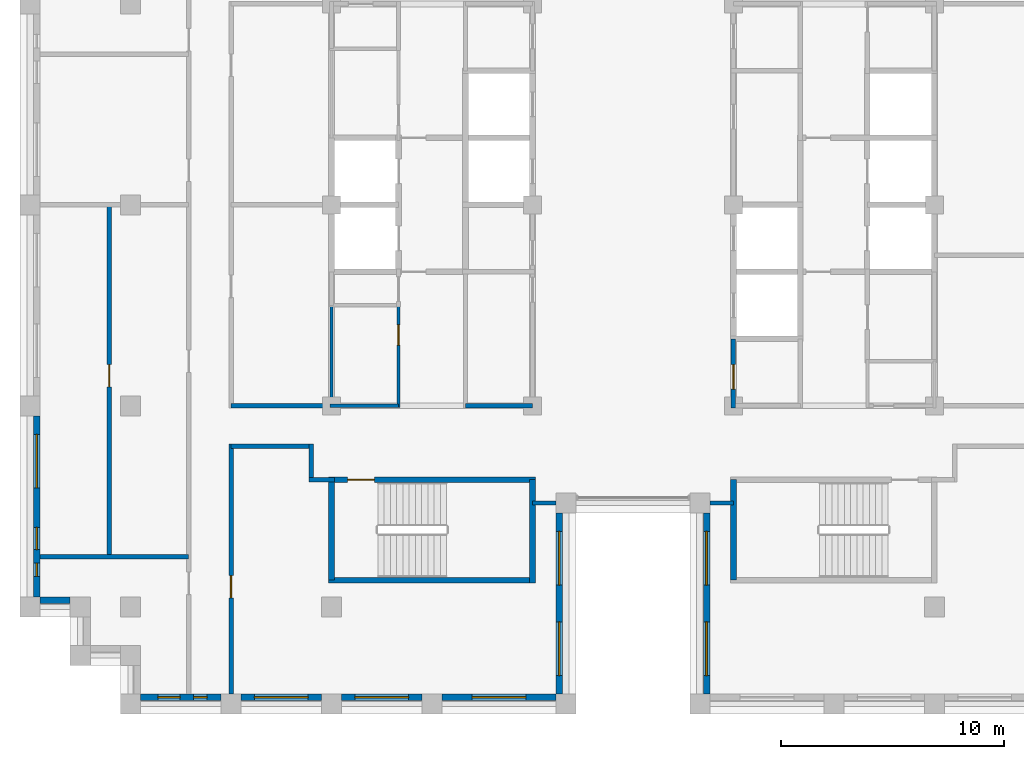
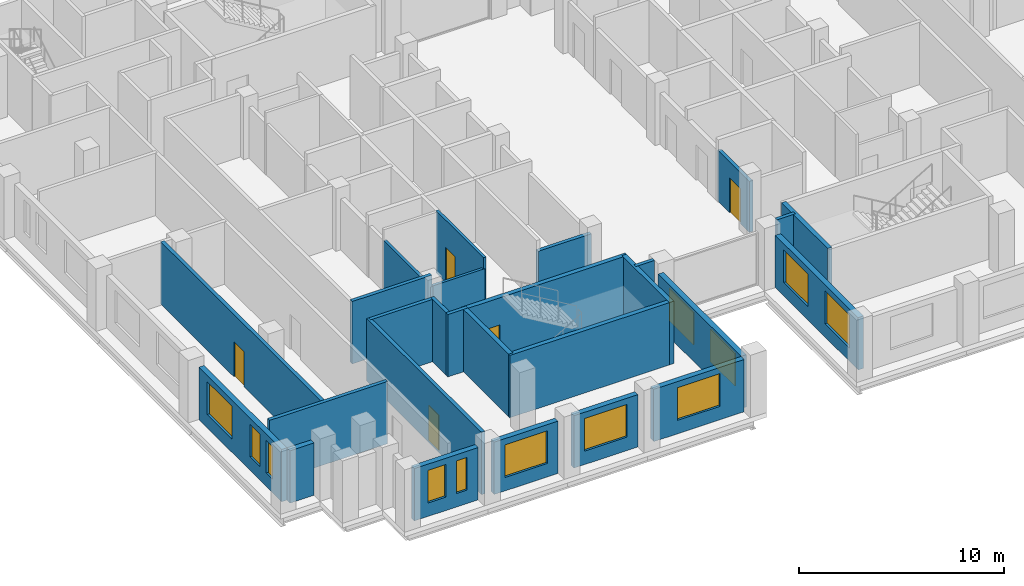
# One storey, part 6 of 13: 27 walls, 12 windows, 5 doors, 17 openings.
"""IFC4 building model written with IfcOpenShell, lengths in metres."""

from ifc_helpers import new_model, si_unit, direction, frame, frame_2d, origin, place, context, subcontext, project, spatial, rectangle, extrude, material, layer, layer_set, type_object, element, fill, save


model = new_model("IFC4")

# Units and contexts
model_context = context("Model", 3, precision=1e-05, world=origin(), true_north=direction((0.0, 1.0)))
body_context = subcontext(model_context, "Body", "Model", "MODEL_VIEW")
ifc_project = project(units=[si_unit("LENGTHUNIT", "METRE"), si_unit("AREAUNIT", "SQUARE_METRE"), si_unit("VOLUMEUNIT", "CUBIC_METRE"), si_unit("PLANEANGLEUNIT", "RADIAN"), si_unit("MASSUNIT", "GRAM", prefix="KILO")], contexts=[model_context])

# Site, building, storey
site_placement = place(None, origin())
site = spatial("IfcSite", under=ifc_project, at=site_placement, CompositionType="ELEMENT")
building_placement = place(site_placement, origin())
building = spatial("IfcBuilding", under=site, at=building_placement, Name="Corbelhall Arena Tower", CompositionType="ELEMENT")
storey_placement = place(building_placement, frame((0.0, 0.0, 266.0)))
storey = spatial("IfcBuildingStorey", under=building, at=storey_placement, Name="L57", CompositionType="ELEMENT", Elevation=266.0)

# Wall, openings, windows
ifc_material_1 = material(Name="Precast concrete C40/50 with granite facing", Category="masonry")
ifc_layer_1 = layer(ifc_material_1, 0.300048828125)
ifc_layer_set_1 = layer_set([ifc_layer_1], Name="EV-IW1 Infill panel 300")
wall_type_1 = type_object("IfcWallType", Name="EV-IW1 Infill panel 300", PredefinedType="SOLIDWALL", material=ifc_layer_set_1)
wall_1_placement = place(storey_placement, frame((-26.699951171875, -9.449951171875, 0.0), z_axis=(0.0, 0.0, 1.0), x_axis=(0.0, -1.0, 0.0)))
wall_1 = element("IfcWall", 1, at=wall_1_placement, inside=storey, type_object=wall_type_1, Name="Infill panel IW1", PredefinedType="SOLIDWALL", context=body_context, shape_type="SweptSolid", body=[
    extrude(rectangle(XDim=8.10009765625, YDim=0.300048828125, at=frame_2d((4.050048828125, 0.0))), origin(), (0.0, 0.0, 1.0), 3.1201171875),
])
opening_1_placement = place(wall_1_placement, frame((0.824951171875, 0.0, 0.800048828125)))
opening_1 = element("IfcOpeningElement", 2, at=opening_1_placement, cuts=wall_1, Name="Opening WN1", PredefinedType="OPENING", context=body_context, shape_type="SweptSolid", body=[
    extrude(rectangle(XDim=2.39990234375, YDim=1.949951171875, at=frame_2d((1.199951171875, 0.97509765625))), frame((0.0, 0.14990234375, 0.0), z_axis=(0.0, -1.0, 0.0), x_axis=(1.0, 0.0, 0.0)), (0.0, 0.0, 1.0), 0.300048828125),
])
opening_2_placement = place(wall_1_placement, frame((4.987548828125, 0.0, 0.800048828125)))
opening_2 = element("IfcOpeningElement", 3, at=opening_2_placement, cuts=wall_1, Name="Opening WN6", PredefinedType="OPENING", context=body_context, shape_type="SweptSolid", body=[
    extrude(rectangle(XDim=1.0, YDim=1.949951171875, at=frame_2d((0.5, 0.97509765625))), frame((0.0, 0.14990234375, 0.0), z_axis=(0.0, -1.0, 0.0), x_axis=(1.0, 0.0, 0.0)), (0.0, 0.0, 1.0), 0.300048828125),
])
opening_3_placement = place(wall_1_placement, frame((6.58740234375, 0.0, 0.800048828125)))
opening_3 = element("IfcOpeningElement", 4, at=opening_3_placement, cuts=wall_1, Name="Opening WN5", PredefinedType="OPENING", context=body_context, shape_type="SweptSolid", body=[
    extrude(rectangle(XDim=0.60009765625, YDim=1.949951171875, at=frame_2d((0.300048828125, 0.97509765625))), frame((0.0, 0.14990234375, 0.0), z_axis=(0.0, -1.0, 0.0), x_axis=(1.0, 0.0, 0.0)), (0.0, 0.0, 1.0), 0.300048828125),
])
ifc_material_2 = material(Name="Aluminium black anodised", Category="aluminium")
window_type_1 = type_object("IfcWindowType", Name="EV-WN1 Office window", PartitioningType="SINGLE_PANEL", PredefinedType="WINDOW", material=ifc_material_2)
window_1_placement = place(opening_1_placement, origin())
window_1 = element("IfcWindow", 5, at=window_1_placement, inside=storey, type_object=window_type_1, Name="Window WN1", OverallHeight=1.949951171875, OverallWidth=2.39990234375, PartitioningType="SINGLE_PANEL", PredefinedType="WINDOW", context=body_context, shape_type="SweptSolid", body=[
    extrude(rectangle(XDim=2.39990234375, YDim=1.949951171875, at=frame_2d((1.199951171875, 0.97509765625))), frame((0.0, 0.030029296875, 0.0), z_axis=(0.0, -1.0, 0.0), x_axis=(1.0, 0.0, 0.0)), (0.0, 0.0, 1.0), 0.06005859375),
])
fill(opening_1, window_1)
window_type_2 = type_object("IfcWindowType", Name="EV-WN5 Office window 600", PartitioningType="SINGLE_PANEL", PredefinedType="WINDOW", material=ifc_material_2)
window_2_placement = place(opening_3_placement, origin())
window_2 = element("IfcWindow", 6, at=window_2_placement, inside=storey, type_object=window_type_2, Name="Window WN5", OverallHeight=1.949951171875, OverallWidth=0.60009765625, PartitioningType="SINGLE_PANEL", PredefinedType="WINDOW", context=body_context, shape_type="SweptSolid", body=[
    extrude(rectangle(XDim=0.60009765625, YDim=1.949951171875, at=frame_2d((0.300048828125, 0.97509765625))), frame((0.0, 0.030029296875, 0.0), z_axis=(0.0, -1.0, 0.0), x_axis=(1.0, 0.0, 0.0)), (0.0, 0.0, 1.0), 0.06005859375),
])
fill(opening_3, window_2)
window_type_3 = type_object("IfcWindowType", Name="EV-WN6 Office window 1000", PartitioningType="SINGLE_PANEL", PredefinedType="WINDOW", material=ifc_material_2)
window_3_placement = place(opening_2_placement, origin())
window_3 = element("IfcWindow", 7, at=window_3_placement, inside=storey, type_object=window_type_3, Name="Window WN6", OverallHeight=1.949951171875, OverallWidth=1.0, PartitioningType="SINGLE_PANEL", PredefinedType="WINDOW", context=body_context, shape_type="SweptSolid", body=[
    extrude(rectangle(XDim=1.0, YDim=1.949951171875, at=frame_2d((0.5, 0.97509765625))), frame((0.0, 0.030029296875, 0.0), z_axis=(0.0, -1.0, 0.0), x_axis=(1.0, 0.0, 0.0)), (0.0, 0.0, 1.0), 0.06005859375),
])
fill(opening_2, window_3)

# Wall
wall_2_placement = place(storey_placement, frame((-26.550048828125, -17.699951171875, 0.0), z_axis=(0.0, 0.0, 1.0), x_axis=(1.0, 0.0, 0.0)))
element("IfcWall", 8, at=wall_2_placement, inside=storey, type_object=wall_type_1, Name="Infill panel IW1", PredefinedType="SOLIDWALL", context=body_context, shape_type="SweptSolid", body=[
    extrude(rectangle(XDim=1.35009765625, YDim=0.300048828125, at=frame_2d((0.675048828125, 0.0))), origin(), (0.0, 0.0, 1.0), 3.1201171875),
])

# Wall, openings, windows
wall_3_placement = place(storey_placement, frame((-22.050048828125, -22.050048828125, 0.0), z_axis=(0.0, 0.0, 1.0), x_axis=(1.0, 0.0, 0.0)))
wall_3 = element("IfcWall", 9, at=wall_3_placement, inside=storey, type_object=wall_type_1, Name="Infill panel IW1", PredefinedType="SOLIDWALL", context=body_context, shape_type="SweptSolid", body=[
    extrude(rectangle(XDim=3.60009765625, YDim=0.300048828125, at=frame_2d((1.800048828125, 0.0))), origin(), (0.0, 0.0, 1.0), 3.1201171875),
])
opening_4_placement = place(wall_3_placement, frame((0.77490234375, 0.0, 0.800048828125)))
opening_4 = element("IfcOpeningElement", 10, at=opening_4_placement, cuts=wall_3, Name="Opening WN6", PredefinedType="OPENING", context=body_context, shape_type="SweptSolid", body=[
    extrude(rectangle(XDim=1.0, YDim=1.949951171875, at=frame_2d((0.5, 0.97509765625))), frame((0.0, 0.14990234375, 0.0), z_axis=(0.0, -1.0, 0.0), x_axis=(1.0, 0.0, 0.0)), (0.0, 0.0, 1.0), 0.300048828125),
])
opening_5_placement = place(wall_3_placement, frame((2.375, 0.0, 0.800048828125)))
opening_5 = element("IfcOpeningElement", 11, at=opening_5_placement, cuts=wall_3, Name="Opening WN5", PredefinedType="OPENING", context=body_context, shape_type="SweptSolid", body=[
    extrude(rectangle(XDim=0.60009765625, YDim=1.949951171875, at=frame_2d((0.300048828125, 0.97509765625))), frame((0.0, 0.14990234375, 0.0), z_axis=(0.0, -1.0, 0.0), x_axis=(1.0, 0.0, 0.0)), (0.0, 0.0, 1.0), 0.300048828125),
])
window_4_placement = place(opening_5_placement, origin())
window_4 = element("IfcWindow", 12, at=window_4_placement, inside=storey, type_object=window_type_2, Name="Window WN5", OverallHeight=1.949951171875, OverallWidth=0.60009765625, PartitioningType="SINGLE_PANEL", PredefinedType="WINDOW", context=body_context, shape_type="SweptSolid", body=[
    extrude(rectangle(XDim=0.60009765625, YDim=1.949951171875, at=frame_2d((0.300048828125, 0.97509765625))), frame((0.0, 0.030029296875, 0.0), z_axis=(0.0, -1.0, 0.0), x_axis=(1.0, 0.0, 0.0)), (0.0, 0.0, 1.0), 0.06005859375),
])
fill(opening_5, window_4)
window_5_placement = place(opening_4_placement, origin())
window_5 = element("IfcWindow", 13, at=window_5_placement, inside=storey, type_object=window_type_3, Name="Window WN6", OverallHeight=1.949951171875, OverallWidth=1.0, PartitioningType="SINGLE_PANEL", PredefinedType="WINDOW", context=body_context, shape_type="SweptSolid", body=[
    extrude(rectangle(XDim=1.0, YDim=1.949951171875, at=frame_2d((0.5, 0.97509765625))), frame((0.0, 0.030029296875, 0.0), z_axis=(0.0, -1.0, 0.0), x_axis=(1.0, 0.0, 0.0)), (0.0, 0.0, 1.0), 0.06005859375),
])
fill(opening_4, window_5)

# Wall, opening, window
wall_4_placement = place(storey_placement, frame((-17.550048828125, -22.050048828125, 0.0), z_axis=(0.0, 0.0, 1.0), x_axis=(1.0, 0.0, 0.0)))
wall_4 = element("IfcWall", 14, at=wall_4_placement, inside=storey, type_object=wall_type_1, Name="Infill panel IW1", PredefinedType="SOLIDWALL", context=body_context, shape_type="SweptSolid", body=[
    extrude(rectangle(XDim=3.60009765625, YDim=0.300048828125, at=frame_2d((1.800048828125, 0.0))), origin(), (0.0, 0.0, 1.0), 3.1201171875),
])
opening_6_placement = place(wall_4_placement, frame((0.60009765625, 0.0, 0.800048828125)))
opening_6 = element("IfcOpeningElement", 15, at=opening_6_placement, cuts=wall_4, Name="Opening WN1", PredefinedType="OPENING", context=body_context, shape_type="SweptSolid", body=[
    extrude(rectangle(XDim=2.39990234375, YDim=1.949951171875, at=frame_2d((1.199951171875, 0.97509765625))), frame((0.0, 0.14990234375, 0.0), z_axis=(0.0, -1.0, 0.0), x_axis=(1.0, 0.0, 0.0)), (0.0, 0.0, 1.0), 0.300048828125),
])
window_6_placement = place(opening_6_placement, origin())
window_6 = element("IfcWindow", 16, at=window_6_placement, inside=storey, type_object=window_type_1, Name="Window WN1", OverallHeight=1.949951171875, OverallWidth=2.39990234375, PartitioningType="SINGLE_PANEL", PredefinedType="WINDOW", context=body_context, shape_type="SweptSolid", body=[
    extrude(rectangle(XDim=2.39990234375, YDim=1.949951171875, at=frame_2d((1.199951171875, 0.97509765625))), frame((0.0, 0.030029296875, 0.0), z_axis=(0.0, -1.0, 0.0), x_axis=(1.0, 0.0, 0.0)), (0.0, 0.0, 1.0), 0.06005859375),
])
fill(opening_6, window_6)

wall_5_placement = place(storey_placement, frame((-13.050048828125, -22.050048828125, 0.0), z_axis=(0.0, 0.0, 1.0), x_axis=(1.0, 0.0, 0.0)))
wall_5 = element("IfcWall", 17, at=wall_5_placement, inside=storey, type_object=wall_type_1, Name="Infill panel IW1", PredefinedType="SOLIDWALL", context=body_context, shape_type="SweptSolid", body=[
    extrude(rectangle(XDim=3.60009765625, YDim=0.300048828125, at=frame_2d((1.800048828125, 0.0))), origin(), (0.0, 0.0, 1.0), 3.1201171875),
])
opening_7_placement = place(wall_5_placement, frame((0.60009765625, 0.0, 0.800048828125)))
opening_7 = element("IfcOpeningElement", 18, at=opening_7_placement, cuts=wall_5, Name="Opening WN1", PredefinedType="OPENING", context=body_context, shape_type="SweptSolid", body=[
    extrude(rectangle(XDim=2.39990234375, YDim=1.949951171875, at=frame_2d((1.199951171875, 0.97509765625))), frame((0.0, 0.14990234375, 0.0), z_axis=(0.0, -1.0, 0.0), x_axis=(1.0, 0.0, 0.0)), (0.0, 0.0, 1.0), 0.300048828125),
])
window_7_placement = place(opening_7_placement, origin())
window_7 = element("IfcWindow", 19, at=window_7_placement, inside=storey, type_object=window_type_1, Name="Window WN1", OverallHeight=1.949951171875, OverallWidth=2.39990234375, PartitioningType="SINGLE_PANEL", PredefinedType="WINDOW", context=body_context, shape_type="SweptSolid", body=[
    extrude(rectangle(XDim=2.39990234375, YDim=1.949951171875, at=frame_2d((1.199951171875, 0.97509765625))), frame((0.0, 0.030029296875, 0.0), z_axis=(0.0, -1.0, 0.0), x_axis=(1.0, 0.0, 0.0)), (0.0, 0.0, 1.0), 0.06005859375),
])
fill(opening_7, window_7)

wall_6_placement = place(storey_placement, frame((-8.550048828125, -22.050048828125, 0.0), z_axis=(0.0, 0.0, 1.0), x_axis=(1.0, 0.0, 0.0)))
wall_6 = element("IfcWall", 20, at=wall_6_placement, inside=storey, type_object=wall_type_1, Name="Infill panel IW1", PredefinedType="SOLIDWALL", context=body_context, shape_type="SweptSolid", body=[
    extrude(rectangle(XDim=5.10009765625, YDim=0.300048828125, at=frame_2d((2.550048828125, 0.0))), origin(), (0.0, 0.0, 1.0), 3.1201171875),
])
opening_8_placement = place(wall_6_placement, frame((1.35009765625, 0.0, 0.800048828125)))
opening_8 = element("IfcOpeningElement", 21, at=opening_8_placement, cuts=wall_6, Name="Opening WN1", PredefinedType="OPENING", context=body_context, shape_type="SweptSolid", body=[
    extrude(rectangle(XDim=2.39990234375, YDim=1.949951171875, at=frame_2d((1.199951171875, 0.97509765625))), frame((0.0, 0.14990234375, 0.0), z_axis=(0.0, -1.0, 0.0), x_axis=(1.0, 0.0, 0.0)), (0.0, 0.0, 1.0), 0.300048828125),
])
window_8_placement = place(opening_8_placement, origin())
window_8 = element("IfcWindow", 22, at=window_8_placement, inside=storey, type_object=window_type_1, Name="Window WN1", OverallHeight=1.949951171875, OverallWidth=2.39990234375, PartitioningType="SINGLE_PANEL", PredefinedType="WINDOW", context=body_context, shape_type="SweptSolid", body=[
    extrude(rectangle(XDim=2.39990234375, YDim=1.949951171875, at=frame_2d((1.199951171875, 0.97509765625))), frame((0.0, 0.030029296875, 0.0), z_axis=(0.0, -1.0, 0.0), x_axis=(1.0, 0.0, 0.0)), (0.0, 0.0, 1.0), 0.06005859375),
])
fill(opening_8, window_8)

# Wall, openings, windows
wall_7_placement = place(storey_placement, frame((-3.300048828125, -21.89990234375, 0.0), z_axis=(0.0, 0.0, 1.0), x_axis=(0.0, 1.0, 0.0)))
wall_7 = element("IfcWall", 23, at=wall_7_placement, inside=storey, type_object=wall_type_1, Name="Infill panel IW1", PredefinedType="SOLIDWALL", context=body_context, shape_type="SweptSolid", body=[
    extrude(rectangle(XDim=8.099853515625, YDim=0.300048828125, at=frame_2d((4.0498046875, 0.0))), origin(), (0.0, 0.0, 1.0), 3.1201171875),
])
opening_9_placement = place(wall_7_placement, frame((0.824951171875, 0.0, 0.800048828125)))
opening_9 = element("IfcOpeningElement", 24, at=opening_9_placement, cuts=wall_7, Name="Opening WN1", PredefinedType="OPENING", context=body_context, shape_type="SweptSolid", body=[
    extrude(rectangle(XDim=2.39990234375, YDim=1.949951171875, at=frame_2d((1.199951171875, 0.97509765625))), frame((0.0, 0.14990234375, 0.0), z_axis=(0.0, -1.0, 0.0), x_axis=(1.0, 0.0, 0.0)), (0.0, 0.0, 1.0), 0.300048828125),
])
opening_10_placement = place(wall_7_placement, frame((4.875, 0.0, 0.800048828125)))
opening_10 = element("IfcOpeningElement", 25, at=opening_10_placement, cuts=wall_7, Name="Opening WN1", PredefinedType="OPENING", context=body_context, shape_type="SweptSolid", body=[
    extrude(rectangle(XDim=2.39990234375, YDim=1.949951171875, at=frame_2d((1.199951171875, 0.97509765625))), frame((0.0, 0.14990234375, 0.0), z_axis=(0.0, -1.0, 0.0), x_axis=(1.0, 0.0, 0.0)), (0.0, 0.0, 1.0), 0.300048828125),
])
window_9_placement = place(opening_9_placement, origin())
window_9 = element("IfcWindow", 26, at=window_9_placement, inside=storey, type_object=window_type_1, Name="Window WN1", OverallHeight=1.949951171875, OverallWidth=2.39990234375, PartitioningType="SINGLE_PANEL", PredefinedType="WINDOW", context=body_context, shape_type="SweptSolid", body=[
    extrude(rectangle(XDim=2.39990234375, YDim=1.949951171875, at=frame_2d((1.199951171875, 0.97509765625))), frame((0.0, 0.030029296875, 0.0), z_axis=(0.0, -1.0, 0.0), x_axis=(1.0, 0.0, 0.0)), (0.0, 0.0, 1.0), 0.06005859375),
])
fill(opening_9, window_9)
window_10_placement = place(opening_10_placement, origin())
window_10 = element("IfcWindow", 27, at=window_10_placement, inside=storey, type_object=window_type_1, Name="Window WN1", OverallHeight=1.949951171875, OverallWidth=2.39990234375, PartitioningType="SINGLE_PANEL", PredefinedType="WINDOW", context=body_context, shape_type="SweptSolid", body=[
    extrude(rectangle(XDim=2.39990234375, YDim=1.949951171875, at=frame_2d((1.199951171875, 0.97509765625))), frame((0.0, 0.030029296875, 0.0), z_axis=(0.0, -1.0, 0.0), x_axis=(1.0, 0.0, 0.0)), (0.0, 0.0, 1.0), 0.06005859375),
])
fill(opening_10, window_10)

wall_8_placement = place(storey_placement, frame((3.300048828125, -13.800048828125, 0.0), z_axis=(0.0, 0.0, 1.0), x_axis=(0.0, -1.0, 0.0)))
wall_8 = element("IfcWall", 28, at=wall_8_placement, inside=storey, type_object=wall_type_1, Name="Infill panel IW1", PredefinedType="SOLIDWALL", context=body_context, shape_type="SweptSolid", body=[
    extrude(rectangle(XDim=8.099853515625, YDim=0.300048828125, at=frame_2d((4.0498046875, 0.0))), origin(), (0.0, 0.0, 1.0), 3.1201171875),
])
opening_11_placement = place(wall_8_placement, frame((0.824951171875, 0.0, 0.800048828125)))
opening_11 = element("IfcOpeningElement", 29, at=opening_11_placement, cuts=wall_8, Name="Opening WN1", PredefinedType="OPENING", context=body_context, shape_type="SweptSolid", body=[
    extrude(rectangle(XDim=2.39990234375, YDim=1.949951171875, at=frame_2d((1.199951171875, 0.97509765625))), frame((0.0, 0.14990234375, 0.0), z_axis=(0.0, -1.0, 0.0), x_axis=(1.0, 0.0, 0.0)), (0.0, 0.0, 1.0), 0.300048828125),
])
opening_12_placement = place(wall_8_placement, frame((4.875, 0.0, 0.800048828125)))
opening_12 = element("IfcOpeningElement", 30, at=opening_12_placement, cuts=wall_8, Name="Opening WN1", PredefinedType="OPENING", context=body_context, shape_type="SweptSolid", body=[
    extrude(rectangle(XDim=2.39990234375, YDim=1.949951171875, at=frame_2d((1.199951171875, 0.97509765625))), frame((0.0, 0.14990234375, 0.0), z_axis=(0.0, -1.0, 0.0), x_axis=(1.0, 0.0, 0.0)), (0.0, 0.0, 1.0), 0.300048828125),
])
window_11_placement = place(opening_11_placement, origin())
window_11 = element("IfcWindow", 31, at=window_11_placement, inside=storey, type_object=window_type_1, Name="Window WN1", OverallHeight=1.949951171875, OverallWidth=2.39990234375, PartitioningType="SINGLE_PANEL", PredefinedType="WINDOW", context=body_context, shape_type="SweptSolid", body=[
    extrude(rectangle(XDim=2.39990234375, YDim=1.949951171875, at=frame_2d((1.199951171875, 0.97509765625))), frame((0.0, 0.030029296875, 0.0), z_axis=(0.0, -1.0, 0.0), x_axis=(1.0, 0.0, 0.0)), (0.0, 0.0, 1.0), 0.06005859375),
])
fill(opening_11, window_11)
window_12_placement = place(opening_12_placement, origin())
window_12 = element("IfcWindow", 32, at=window_12_placement, inside=storey, type_object=window_type_1, Name="Window WN1", OverallHeight=1.949951171875, OverallWidth=2.39990234375, PartitioningType="SINGLE_PANEL", PredefinedType="WINDOW", context=body_context, shape_type="SweptSolid", body=[
    extrude(rectangle(XDim=2.39990234375, YDim=1.949951171875, at=frame_2d((1.199951171875, 0.97509765625))), frame((0.0, 0.030029296875, 0.0), z_axis=(0.0, -1.0, 0.0), x_axis=(1.0, 0.0, 0.0)), (0.0, 0.0, 1.0), 0.06005859375),
])
fill(opening_12, window_12)

# Wall
ifc_material_3 = material(Name="Gypsum board on steel stud, acoustic", Category="steel")
ifc_layer_2 = layer(ifc_material_3, 0.199951171875)
ifc_layer_set_2 = layer_set([ifc_layer_2], Name="IN-W-DM200")
wall_type_2 = type_object("IfcWallType", Name="IN-W-DM200", PredefinedType="PARTITIONING", material=ifc_layer_set_2)
wall_9_placement = place(storey_placement, frame((-26.550048828125, -15.75, 0.0), z_axis=(0.0, 0.0, 1.0), x_axis=(1.0, 0.0, 0.0)))
element("IfcWall", 33, at=wall_9_placement, inside=storey, type_object=wall_type_2, Name="Partition 001", PredefinedType="PARTITIONING", context=body_context, shape_type="SweptSolid", body=[
    extrude(rectangle(XDim=6.650146484375, YDim=0.199951171875, at=frame_2d((3.3251953125, 0.0))), origin(), (0.0, 0.0, 1.0), 3.719970703125),
])

# Wall, opening, door
wall_10_placement = place(storey_placement, frame((-23.449951171875, -15.75, 0.0), z_axis=(0.0, 0.0, 1.0), x_axis=(0.0, 1.0, 0.0)))
wall_10 = element("IfcWall", 34, at=wall_10_placement, inside=storey, type_object=wall_type_2, Name="Partition 004", PredefinedType="PARTITIONING", context=body_context, shape_type="SweptSolid", body=[
    extrude(rectangle(XDim=15.75, YDim=0.199951171875, at=frame_2d((7.875, 0.0))), origin(), (0.0, 0.0, 1.0), 3.719970703125),
])
opening_13_placement = place(wall_10_placement, frame((7.60009765625, 0.0, 0.0)))
opening_13 = element("IfcOpeningElement", 35, at=opening_13_placement, cuts=wall_10, Name="Opening 18035", PredefinedType="OPENING", context=body_context, shape_type="SweptSolid", body=[
    extrude(rectangle(XDim=1.0, YDim=2.10009765625, at=frame_2d((0.5, 1.050048828125))), frame((0.0, 0.10009765625, 0.0), z_axis=(0.0, -1.0, 0.0), x_axis=(1.0, 0.0, 0.0)), (0.0, 0.0, 1.0), 0.199951171875),
])
ifc_material_4 = material(Name="Steel door set", Category="steel")
door_type_1 = type_object("IfcDoorType", Name="IN-D-SW100", OperationType="NOTDEFINED", PredefinedType="DOOR", material=ifc_material_4)
door_1_placement = place(opening_13_placement, origin())
door_1 = element("IfcDoor", 36, at=door_1_placement, inside=storey, type_object=door_type_1, Name="Door 035", OperationType="SINGLE_SWING_RIGHT", OverallHeight=2.10009765625, OverallWidth=1.0, PredefinedType="DOOR", context=body_context, shape_type="SweptSolid", body=[
    extrude(rectangle(XDim=1.0, YDim=2.10009765625, at=frame_2d((0.5, 1.050048828125))), frame((0.0, 0.02490234375, 0.0), z_axis=(0.0, -1.0, 0.0), x_axis=(1.0, 0.0, 0.0)), (0.0, 0.0, 1.0), 0.050048828125),
])
fill(opening_13, door_1)

wall_11_placement = place(storey_placement, frame((-18.0, -10.699951171875, 0.0), z_axis=(0.0, 0.0, 1.0), x_axis=(0.0, -1.0, 0.0)))
wall_11 = element("IfcWall", 37, at=wall_11_placement, inside=storey, type_object=wall_type_2, Name="Partition 009", PredefinedType="PARTITIONING", context=body_context, shape_type="SweptSolid", body=[
    extrude(rectangle(XDim=11.199951171875, YDim=0.199951171875, at=frame_2d((5.60009765625, 0.0))), origin(), (0.0, 0.0, 1.0), 3.719970703125),
])
opening_14_placement = place(wall_11_placement, frame((5.89990234375, 0.0, 0.0)))
opening_14 = element("IfcOpeningElement", 38, at=opening_14_placement, cuts=wall_11, Name="Opening 18028", PredefinedType="OPENING", context=body_context, shape_type="SweptSolid", body=[
    extrude(rectangle(XDim=1.0, YDim=2.10009765625, at=frame_2d((0.5, 1.050048828125))), frame((0.0, 0.10009765625, 0.0), z_axis=(0.0, -1.0, 0.0), x_axis=(1.0, 0.0, 0.0)), (0.0, 0.0, 1.0), 0.199951171875),
])
door_2_placement = place(opening_14_placement, origin())
door_2 = element("IfcDoor", 39, at=door_2_placement, inside=storey, type_object=door_type_1, Name="Door 028", OperationType="SINGLE_SWING_LEFT", OverallHeight=2.10009765625, OverallWidth=1.0, PredefinedType="DOOR", context=body_context, shape_type="SweptSolid", body=[
    extrude(rectangle(XDim=1.0, YDim=2.10009765625, at=frame_2d((0.5, 1.050048828125))), frame((0.0, 0.02490234375, 0.0), z_axis=(0.0, -1.0, 0.0), x_axis=(1.0, 0.0, 0.0)), (0.0, 0.0, 1.0), 0.050048828125),
])
fill(opening_14, door_2)

# Walls
wall_12_placement = place(storey_placement, frame((-18.0, -9.0, 0.0), z_axis=(0.0, 0.0, 1.0), x_axis=(1.0, 0.0, 0.0)))
element("IfcWall", 40, at=wall_12_placement, inside=storey, type_object=wall_type_2, Name="Partition 010", PredefinedType="PARTITIONING", context=body_context, shape_type="SweptSolid", body=[
    extrude(rectangle(XDim=4.5, YDim=0.199951171875, at=frame_2d((2.25, 0.0))), origin(), (0.0, 0.0, 1.0), 3.719970703125),
])
wall_13_placement = place(storey_placement, frame((-14.39990234375, -12.300048828125, 0.0), z_axis=(0.0, 0.0, 1.0), x_axis=(0.0, 1.0, 0.0)))
element("IfcWall", 41, at=wall_13_placement, inside=storey, type_object=wall_type_2, Name="Partition 018", PredefinedType="PARTITIONING", context=body_context, shape_type="SweptSolid", body=[
    extrude(rectangle(XDim=1.60009765625, YDim=0.199951171875, at=frame_2d((0.800048828125, 0.0))), origin(), (0.0, 0.0, 1.0), 3.719970703125),
])
wall_14_placement = place(storey_placement, frame((-14.39990234375, -10.800048828125, 0.0), z_axis=(0.0, 0.0, 1.0), x_axis=(-1.0, 0.0, 0.0)))
element("IfcWall", 42, at=wall_14_placement, inside=storey, type_object=wall_type_2, Name="Partition 019", PredefinedType="PARTITIONING", context=body_context, shape_type="SweptSolid", body=[
    extrude(rectangle(XDim=3.60009765625, YDim=0.199951171875, at=frame_2d((1.800048828125, 0.0))), origin(), (0.0, 0.0, 1.0), 3.719970703125),
])
wall_15_placement = place(storey_placement, frame((-13.375, -12.300048828125, 0.0), z_axis=(0.0, 0.0, 1.0), x_axis=(-1.0, 0.0, 0.0)))
element("IfcWall", 43, at=wall_15_placement, inside=storey, type_object=wall_type_2, Name="Partition 022", PredefinedType="PARTITIONING", context=body_context, shape_type="SweptSolid", body=[
    extrude(rectangle(XDim=1.125, YDim=0.199951171875, at=frame_2d((0.5625, 0.0))), origin(), (0.0, 0.0, 1.0), 3.719970703125),
])
for number, where, z_axis, x_axis, name in (
    (44, (-3.449951171875, -13.35009765625, 0.0), (0.0, 0.0, 1.0), (-1.0, 0.0, 0.0), "Partition 024"),
    (45, (4.5, -13.35009765625, 0.0), (0.0, 0.0, 1.0), (-1.0, 0.0, 0.0), "Partition 026"),
):
    element("IfcWall", number, at=place(storey_placement, frame(where, z_axis=z_axis, x_axis=x_axis)), inside=storey, type_object=wall_type_2, Name=name, PredefinedType="PARTITIONING", context=body_context, shape_type="SweptSolid", body=[
        extrude(rectangle(XDim=1.050048828125, YDim=0.199951171875, at=frame_2d((0.52490234375, 0.0))), origin(), (0.0, 0.0, 1.0), 3.719970703125),
    ])
ifc_material_5 = material(Name="Concrete block wall", Category="concrete")
ifc_layer_3 = layer(ifc_material_5, 0.199951171875)
ifc_layer_set_3 = layer_set([ifc_layer_3], Name="IN-W-RS200 under beam 678 mm")
wall_type_3 = type_object("IfcWallType", Name="IN-W-RS200 under beam 678 mm", PredefinedType="SOLIDWALL", material=ifc_layer_set_3)
wall_16_placement = place(storey_placement, frame((-4.5, -9.0, 0.0), z_axis=(0.0, 0.0, 1.0), x_axis=(-1.0, 0.0, 0.0)))
element("IfcWall", 46, at=wall_16_placement, inside=storey, type_object=wall_type_3, Name="Partition 052", PredefinedType="SOLIDWALL", context=body_context, shape_type="SweptSolid", body=[
    extrude(rectangle(XDim=3.0, YDim=0.199951171875, at=frame_2d((1.5, 0.0))), origin(), (0.0, 0.0, 1.0), 3.041748046875),
])

# Wall, opening, door
wall_17_placement = place(storey_placement, frame((4.5, -9.10009765625, 0.0), z_axis=(0.0, 0.0, 1.0), x_axis=(0.0, 1.0, 0.0)))
wall_17 = element("IfcWall", 47, at=wall_17_placement, inside=storey, type_object=wall_type_3, Name="Partition 056", PredefinedType="SOLIDWALL", context=body_context, shape_type="SweptSolid", body=[
    extrude(rectangle(XDim=3.10009765625, YDim=0.199951171875, at=frame_2d((1.550048828125, 0.0))), origin(), (0.0, 0.0, 1.0), 3.041748046875),
])
opening_15_placement = place(wall_17_placement, frame((0.85009765625, 0.0, 0.0)))
opening_15 = element("IfcOpeningElement", 48, at=opening_15_placement, cuts=wall_17, Name="Opening 18010", PredefinedType="OPENING", context=body_context, shape_type="SweptSolid", body=[
    extrude(rectangle(XDim=1.10009765625, YDim=2.10009765625, at=frame_2d((0.550048828125, 1.050048828125))), frame((0.0, 0.10009765625, 0.0), z_axis=(0.0, -1.0, 0.0), x_axis=(1.0, 0.0, 0.0)), (0.0, 0.0, 1.0), 0.199951171875),
])
door_type_2 = type_object("IfcDoorType", Name="IN-D-FD110", OperationType="NOTDEFINED", PredefinedType="DOOR", material=ifc_material_4)
door_3_placement = place(opening_15_placement, origin())
door_3 = element("IfcDoor", 49, at=door_3_placement, inside=storey, type_object=door_type_2, Name="Door 010", OperationType="SINGLE_SWING_LEFT", OverallHeight=2.10009765625, OverallWidth=1.10009765625, PredefinedType="DOOR", context=body_context, shape_type="SweptSolid", body=[
    extrude(rectangle(XDim=1.10009765625, YDim=2.10009765625, at=frame_2d((0.550048828125, 1.050048828125))), frame((0.0, 0.02490234375, 0.0), z_axis=(0.0, -1.0, 0.0), x_axis=(1.0, 0.0, 0.0)), (0.0, 0.0, 1.0), 0.050048828125),
])
fill(opening_15, door_3)

# Walls
ifc_material_6 = material(Name="Concrete C40/50", Category="concrete")
ifc_layer_4 = layer(ifc_material_6, 0.25)
ifc_layer_set_4 = layer_set([ifc_layer_4], Name="IN-W-ST250")
wall_type_4 = type_object("IfcWallType", Name="IN-W-ST250", PredefinedType="SOLIDWALL", material=ifc_layer_set_4)
wall_18_placement = place(storey_placement, frame((-13.5, -16.800048828125, 0.0), z_axis=(0.0, 0.0, 1.0), x_axis=(0.0, 1.0, 0.0)))
element("IfcWall", 50, at=wall_18_placement, inside=storey, type_object=wall_type_4, Name="Shaft wall 088", PredefinedType="SOLIDWALL", context=body_context, shape_type="SweptSolid", body=[
    extrude(rectangle(XDim=4.5, YDim=0.25, at=frame_2d((2.25, 0.0))), origin(), (0.0, 0.0, 1.0), 3.719970703125),
])
wall_19_placement = place(storey_placement, frame((-4.5, -16.800048828125, 0.0), z_axis=(0.0, 0.0, 1.0), x_axis=(-1.0, 0.0, 0.0)))
element("IfcWall", 51, at=wall_19_placement, inside=storey, type_object=wall_type_4, Name="Shaft wall 090", PredefinedType="SOLIDWALL", context=body_context, shape_type="SweptSolid", body=[
    extrude(rectangle(XDim=9.125, YDim=0.25, at=frame_2d((4.5625, 0.0))), origin(), (0.0, 0.0, 1.0), 3.719970703125),
])
wall_20_placement = place(storey_placement, frame((-4.5, -12.300048828125, 0.0), z_axis=(0.0, 0.0, 1.0), x_axis=(0.0, -1.0, 0.0)))
element("IfcWall", 52, at=wall_20_placement, inside=storey, type_object=wall_type_4, Name="Shaft wall 091", PredefinedType="SOLIDWALL", context=body_context, shape_type="SweptSolid", body=[
    extrude(rectangle(XDim=4.625, YDim=0.25, at=frame_2d((2.3125, 0.0))), origin(), (0.0, 0.0, 1.0), 3.719970703125),
])

# Wall, opening, door
wall_21_placement = place(storey_placement, frame((-4.375, -12.300048828125, 0.0), z_axis=(0.0, 0.0, 1.0), x_axis=(-1.0, 0.0, 0.0)))
wall_21 = element("IfcWall", 53, at=wall_21_placement, inside=storey, type_object=wall_type_4, Name="Shaft wall 093", PredefinedType="SOLIDWALL", context=body_context, shape_type="SweptSolid", body=[
    extrude(rectangle(XDim=9.25, YDim=0.25, at=frame_2d((4.625, 0.0))), origin(), (0.0, 0.0, 1.0), 3.719970703125),
])
opening_16_placement = place(wall_21_placement, frame((7.199951171875, 0.0, 0.0)))
opening_16 = element("IfcOpeningElement", 54, at=opening_16_placement, cuts=wall_21, Name="Opening 18019", PredefinedType="OPENING", context=body_context, shape_type="SweptSolid", body=[
    extrude(rectangle(XDim=1.199951171875, YDim=2.10009765625, at=frame_2d((0.60009765625, 1.050048828125))), frame((0.0, 0.125, 0.0), z_axis=(0.0, -1.0, 0.0), x_axis=(1.0, 0.0, 0.0)), (0.0, 0.0, 1.0), 0.25),
])
door_type_3 = type_object("IfcDoorType", Name="IN-D-ST120", OperationType="NOTDEFINED", PredefinedType="DOOR", material=ifc_material_4)
door_4_placement = place(opening_16_placement, origin())
door_4 = element("IfcDoor", 55, at=door_4_placement, inside=storey, type_object=door_type_3, Name="Door 019", OperationType="SINGLE_SWING_RIGHT", OverallHeight=2.10009765625, OverallWidth=1.199951171875, PredefinedType="DOOR", context=body_context, shape_type="SweptSolid", body=[
    extrude(rectangle(XDim=1.199951171875, YDim=2.10009765625, at=frame_2d((0.60009765625, 1.050048828125))), frame((0.0, 0.02490234375, 0.0), z_axis=(0.0, -1.0, 0.0), x_axis=(1.0, 0.0, 0.0)), (0.0, 0.0, 1.0), 0.050048828125),
])
fill(opening_16, door_4)

# Wall
wall_22_placement = place(storey_placement, frame((4.5, -16.800048828125, 0.0), z_axis=(0.0, 0.0, 1.0), x_axis=(0.0, 1.0, 0.0)))
element("IfcWall", 56, at=wall_22_placement, inside=storey, type_object=wall_type_4, Name="Shaft wall 096", PredefinedType="SOLIDWALL", context=body_context, shape_type="SweptSolid", body=[
    extrude(rectangle(XDim=4.5, YDim=0.25, at=frame_2d((2.25, 0.0))), origin(), (0.0, 0.0, 1.0), 3.719970703125),
])

# Wall, opening, door
ifc_material_7 = material(Name="Gypsum board on steel stud, moisture resistant", Category="steel")
ifc_layer_5 = layer(ifc_material_7, 0.14990234375)
ifc_layer_set_5 = layer_set([ifc_layer_5], Name="IN-W-WC150")
wall_type_5 = type_object("IfcWallType", Name="IN-W-WC150", PredefinedType="PARTITIONING", material=ifc_layer_set_5)
wall_23_placement = place(storey_placement, frame((-10.5, -9.074951171875, 0.0), z_axis=(0.0, 0.0, 1.0), x_axis=(0.0, 1.0, 0.0)))
wall_23 = element("IfcWall", 57, at=wall_23_placement, inside=storey, type_object=wall_type_5, Name="Partition 106", PredefinedType="PARTITIONING", context=body_context, shape_type="SweptSolid", body=[
    extrude(rectangle(XDim=4.64990234375, YDim=0.14990234375, at=frame_2d((2.324951171875, 0.0))), origin(), (0.0, 0.0, 1.0), 3.719970703125),
])
opening_17_placement = place(wall_23_placement, frame((2.800048828125, 0.0, 0.0)))
opening_17 = element("IfcOpeningElement", 58, at=opening_17_placement, cuts=wall_23, Name="Opening 18006", PredefinedType="OPENING", context=body_context, shape_type="SweptSolid", body=[
    extrude(rectangle(XDim=0.89990234375, YDim=2.10009765625, at=frame_2d((0.449951171875, 1.050048828125))), frame((0.0, 0.074951171875, 0.0), z_axis=(0.0, -1.0, 0.0), x_axis=(1.0, 0.0, 0.0)), (0.0, 0.0, 1.0), 0.14990234375),
])
ifc_material_8 = material(Name="Timber door set", Category="wood")
door_type_4 = type_object("IfcDoorType", Name="IN-D-SW90", OperationType="NOTDEFINED", PredefinedType="DOOR", material=ifc_material_8)
door_5_placement = place(opening_17_placement, origin())
door_5 = element("IfcDoor", 59, at=door_5_placement, inside=storey, type_object=door_type_4, Name="Door 006", OperationType="SINGLE_SWING_LEFT", OverallHeight=2.10009765625, OverallWidth=0.89990234375, PredefinedType="DOOR", context=body_context, shape_type="SweptSolid", body=[
    extrude(rectangle(XDim=0.89990234375, YDim=2.10009765625, at=frame_2d((0.449951171875, 1.050048828125))), frame((0.0, 0.02490234375, 0.0), z_axis=(0.0, -1.0, 0.0), x_axis=(1.0, 0.0, 0.0)), (0.0, 0.0, 1.0), 0.050048828125),
])
fill(opening_17, door_5)

# Walls
ifc_layer_6 = layer(ifc_material_7, 0.14990234375)
ifc_layer_set_6 = layer_set([ifc_layer_6], Name="IN-W-WC150 under beam 678 mm")
wall_type_6 = type_object("IfcWallType", Name="IN-W-WC150 under beam 678 mm", PredefinedType="PARTITIONING", material=ifc_layer_set_6)
wall_24_placement = place(storey_placement, frame((-13.5, -9.10009765625, 0.0), z_axis=(0.0, 0.0, 1.0), x_axis=(0.0, 1.0, 0.0)))
element("IfcWall", 60, at=wall_24_placement, inside=storey, type_object=wall_type_6, Name="Partition 104", PredefinedType="PARTITIONING", context=body_context, shape_type="SweptSolid", body=[
    extrude(rectangle(XDim=4.60009765625, YDim=0.14990234375, at=frame_2d((2.300048828125, 0.0))), origin(), (0.0, 0.0, 1.0), 3.041748046875),
])
wall_25_placement = place(storey_placement, frame((-10.5, -9.0, 0.0), z_axis=(0.0, 0.0, 1.0), x_axis=(-1.0, 0.0, 0.0)))
element("IfcWall", 61, at=wall_25_placement, inside=storey, type_object=wall_type_6, Name="Partition 107", PredefinedType="PARTITIONING", context=body_context, shape_type="SweptSolid", body=[
    extrude(rectangle(XDim=3.074951171875, YDim=0.14990234375, at=frame_2d((1.53759765625, 0.0))), origin(), (0.0, 0.0, 1.0), 3.041748046875),
])

save(model, "model.ifc")
